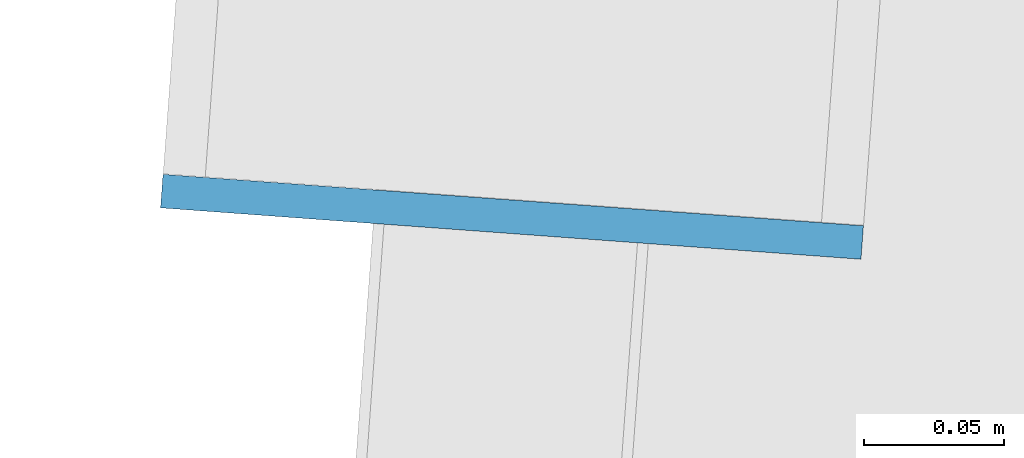
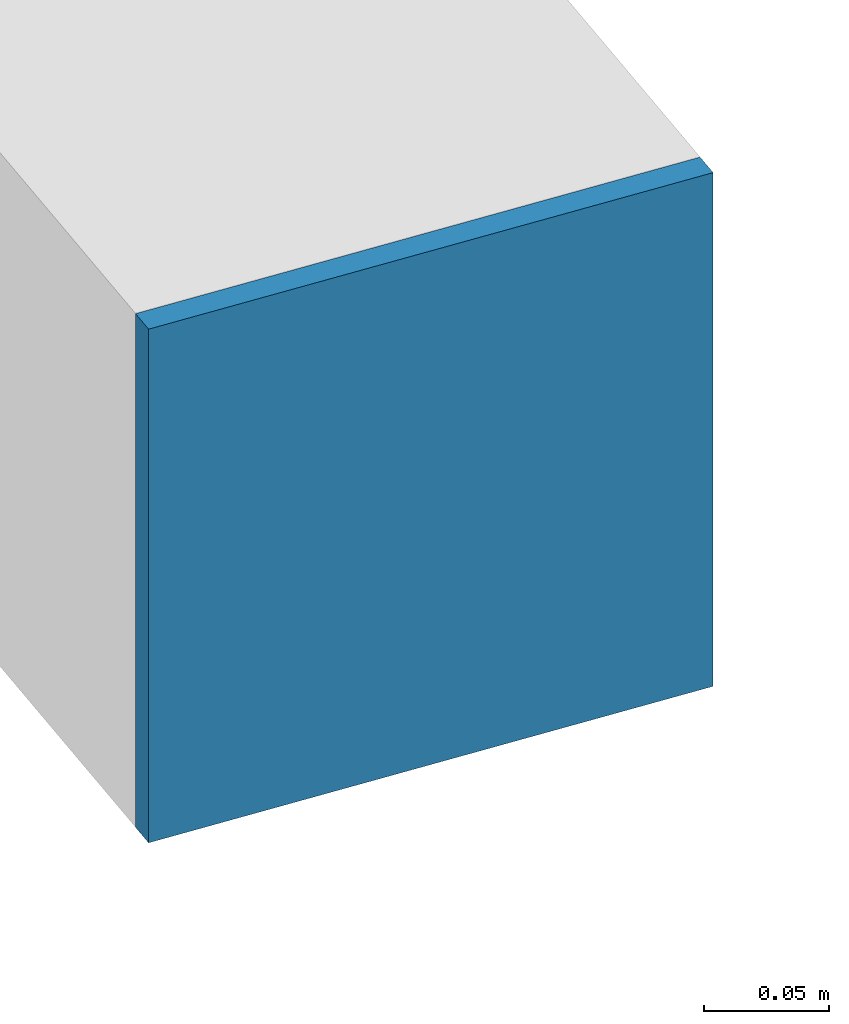
# One storey, part 30 of 40: 1 plate.
"""IFC4 building model written with IfcOpenShell, lengths in metres."""

from ifc_helpers import new_model, si_unit, direction, frame, origin, origin_2d, place, context, subcontext, project, spatial, rectangle, extrude, source, transform, mapped, material, layer, layer_set, type_object, element, save


model = new_model("IFC4")

# Units and contexts
model_context = context("Model", 3, precision=1e-05, world=origin(), true_north=direction((0.0, 1.0)))
body_context = subcontext(model_context, "Body", "Model", "MODEL_VIEW")
ifc_project = project(units=[si_unit("LENGTHUNIT", "METRE"), si_unit("AREAUNIT", "SQUARE_METRE"), si_unit("VOLUMEUNIT", "CUBIC_METRE"), si_unit("PLANEANGLEUNIT", "RADIAN"), si_unit("MASSUNIT", "GRAM", prefix="KILO")], contexts=[model_context])

# Site, building, storey
site_placement = place(None, origin())
site = spatial("IfcSite", under=ifc_project, at=site_placement, CompositionType="ELEMENT")
building_placement = place(site_placement, origin())
building = spatial("IfcBuilding", under=site, at=building_placement, Name="Taldren Reach Tower", CompositionType="ELEMENT")
storey_placement = place(building_placement, frame((0.0, 0.0, 233.449951171875)))
storey = spatial("IfcBuildingStorey", under=building, at=storey_placement, Name="L71", CompositionType="ELEMENT", Elevation=233.449951171875)

# Plate
ifc_material = material(Name="Steel Gr 350 (C350L0)", Category="steel")
ifc_layer = layer(ifc_material, 0.011962890625)
ifc_layer_set = layer_set([ifc_layer], Name="Steel Gr 350 (C350L0)")
plate_type = type_object("IfcPlateType", Name="PL-CAP-250", PredefinedType="SHEET", material=ifc_layer_set)
shared_shape = source(origin(), body_context, "Body", "SweptSolid", [
    extrude(rectangle(XDim=0.25, YDim=0.011962890625, at=origin_2d()), origin(), (0.0, 0.0, 1.0), 0.25),
])
plate_placement = place(storey_placement, frame((37.406494140625, 3.264892578125, 0.094970703125), z_axis=(0.0, 0.0, 1.0), x_axis=(0.997314477224, -0.073238197128, 0.0)))
element("IfcPlate", 1, at=plate_placement, inside=storey, type_object=plate_type, Name="Tie strut end cap plate B5-S4 L71", PredefinedType="SHEET", context=body_context, shape_type="MappedRepresentation", body=[
    mapped(shared_shape, transform((0.0, 0.0, 0.0), scale=1.0)),
])

save(model, "model.ifc")
